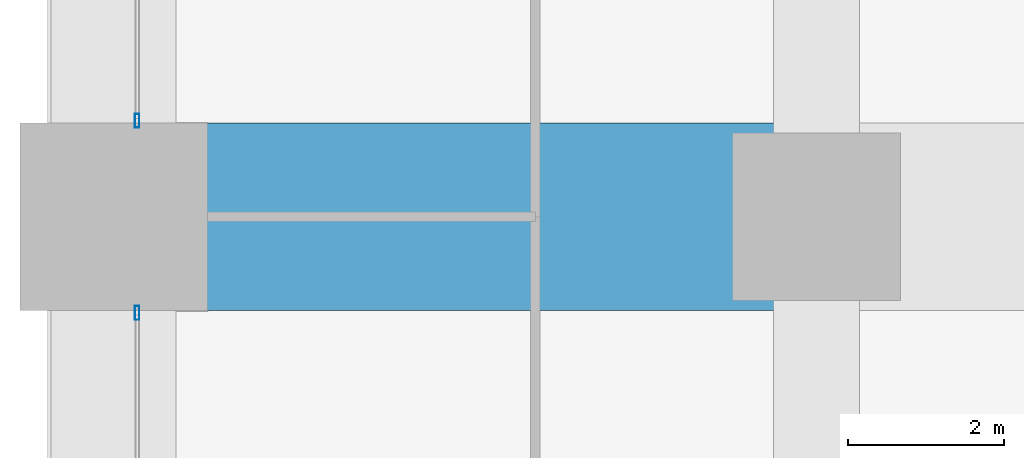
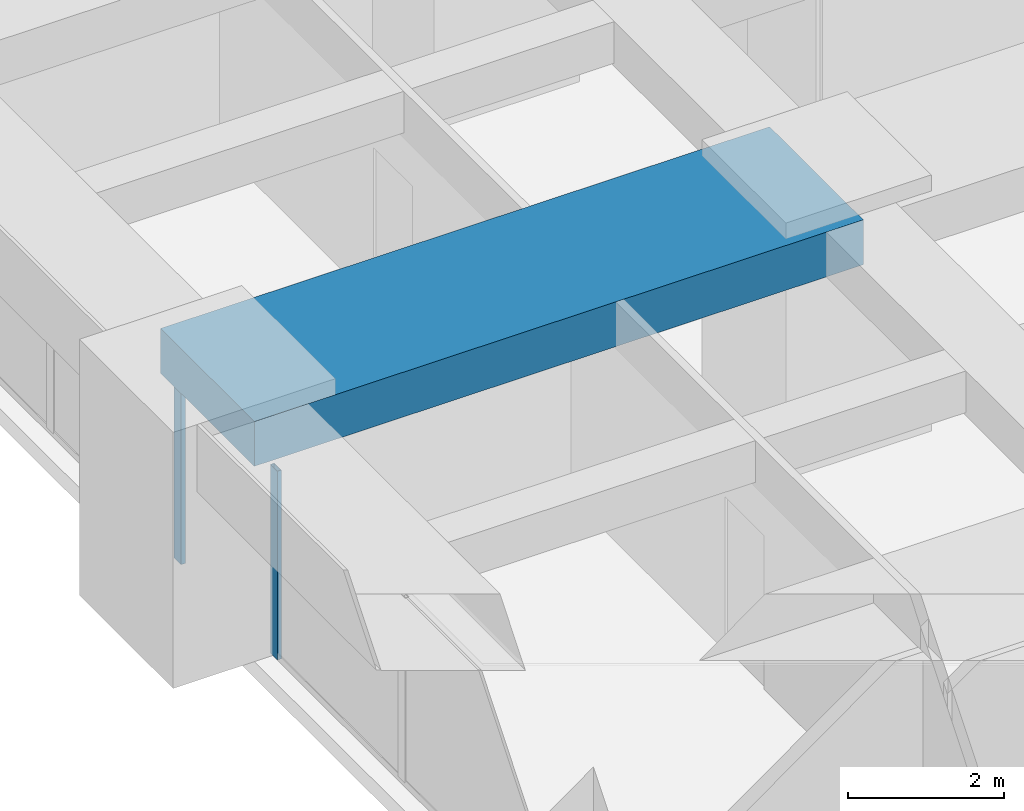
# One storey, part 10 of 45: 2 members, 1 beam, 2 elements without a shape of their own.
"""IFC4 building model written with IfcOpenShell, lengths in metres."""

from ifc_helpers import new_model, si_unit, direction, frame, origin, origin_2d, place, context, subcontext, project, spatial, rectangle, hollow_rectangle, extrude, material, material_profile, profile_set, type_object, element, aggregate, save


model = new_model("IFC4")

# Units and contexts
model_context = context("Model", 3, precision=1e-05, world=origin(), true_north=direction((0.0, 1.0)))
body_context = subcontext(model_context, "Body", "Model", "MODEL_VIEW")
ifc_project = project(units=[si_unit("LENGTHUNIT", "METRE"), si_unit("AREAUNIT", "SQUARE_METRE"), si_unit("VOLUMEUNIT", "CUBIC_METRE"), si_unit("PLANEANGLEUNIT", "RADIAN"), si_unit("MASSUNIT", "GRAM", prefix="KILO")], contexts=[model_context])

# Site, building, storey
site_placement = place(None, origin())
site = spatial("IfcSite", under=ifc_project, at=site_placement, CompositionType="ELEMENT")
building_placement = place(site_placement, origin())
building = spatial("IfcBuilding", under=site, at=building_placement, Name="Zorevar Civic Tower", CompositionType="ELEMENT")
storey_placement = place(building_placement, frame((0.0, 0.0, 71.800048828125)))
storey = spatial("IfcBuildingStorey", under=building, at=storey_placement, Name="L17", CompositionType="ELEMENT", Elevation=71.800048828125)

# Beam
ifc_material_1 = material(Name="Concrete C50/60", Category="concrete")
ifc_material_profile_1 = material_profile(ifc_material_1, rectangle(XDim=2.39990234375, YDim=0.699951171875, at=origin_2d()), Name="RC 2400x700")
ifc_profile_set_1 = profile_set([ifc_material_profile_1], Name="Concrete C50/60")
beam_type = type_object("IfcBeamType", Name="Beam RC 2400x700", PredefinedType="BEAM", material=ifc_profile_set_1)
beam_placement = place(storey_placement, frame((0.0, 27.0, 3.39990234375), z_axis=(1.0, 0.0, 0.0), x_axis=(0.0, 1.0, 0.0)))
element("IfcBeam", 1, at=beam_placement, inside=storey, type_object=beam_type, Name="Girder L18", PredefinedType="BEAM", context=body_context, shape_type="SweptSolid", body=[
    extrude(rectangle(XDim=2.39990234375, YDim=0.699951171875, at=origin_2d()), origin(), (0.0, 0.0, 1.0), 9.0),
])

# Curtain wall, member
ifc_material_2 = material(Name="Dark grey solar-control glass in black aluminium frame", Category="aluminium")
curtain_wall_type = type_object("IfcCurtainWallType", Name="Curtain wall CW2 low zone", PredefinedType="NOTDEFINED", material=ifc_material_2)
curtain_wall_1_placement = place(storey_placement, origin())
curtain_wall_1 = element("IfcCurtainWall", 2, at=curtain_wall_1_placement, inside=storey, type_object=curtain_wall_type, Name="CW2 L17", PredefinedType="NOTDEFINED")
ifc_material_3 = material(Name="Aluminium, black anodised", Category="aluminium")
ifc_material_profile_2 = material_profile(ifc_material_3, hollow_rectangle(XDim=0.06005859375, YDim=0.179931640625, WallThickness=0.00390625, at=origin_2d()), Name="AL 180x60x4")
ifc_profile_set_2 = profile_set([ifc_material_profile_2], Name="Aluminium, black anodised")
member_type = type_object("IfcMemberType", Name="CW2 mullion AL 180x60x4", PredefinedType="MULLION", material=ifc_profile_set_2)
member_1_placement = place(storey_placement, frame((0.300048828125, 25.77001953125, 0.0), z_axis=(0.0, 0.0, 1.0), x_axis=(-1.0, 0.0, 0.0)))
member_1 = element("IfcMember", 3, at=member_1_placement, type_object=member_type, Name="CW2 mullion 3", PredefinedType="MULLION", context=body_context, shape_type="SweptSolid", body=[
    extrude(hollow_rectangle(XDim=0.06005859375, YDim=0.179931640625, WallThickness=0.00390625, at=origin_2d()), origin(), (0.0, 0.0, 1.0), 2.949951171875),
])
aggregate(curtain_wall_1, [member_1])

curtain_wall_2_placement = place(storey_placement, origin())
curtain_wall_2 = element("IfcCurtainWall", 4, at=curtain_wall_2_placement, inside=storey, type_object=curtain_wall_type, Name="CW2 L17", PredefinedType="NOTDEFINED")
member_2_placement = place(storey_placement, frame((0.300048828125, 28.22998046875, 0.0), z_axis=(0.0, 0.0, 1.0), x_axis=(-1.0, 0.0, 0.0)))
member_2 = element("IfcMember", 5, at=member_2_placement, type_object=member_type, Name="CW2 mullion 1", PredefinedType="MULLION", context=body_context, shape_type="SweptSolid", body=[
    extrude(hollow_rectangle(XDim=0.06005859375, YDim=0.179931640625, WallThickness=0.00390625, at=origin_2d()), origin(), (0.0, 0.0, 1.0), 2.949951171875),
])
aggregate(curtain_wall_2, [member_2])

save(model, "model.ifc")
